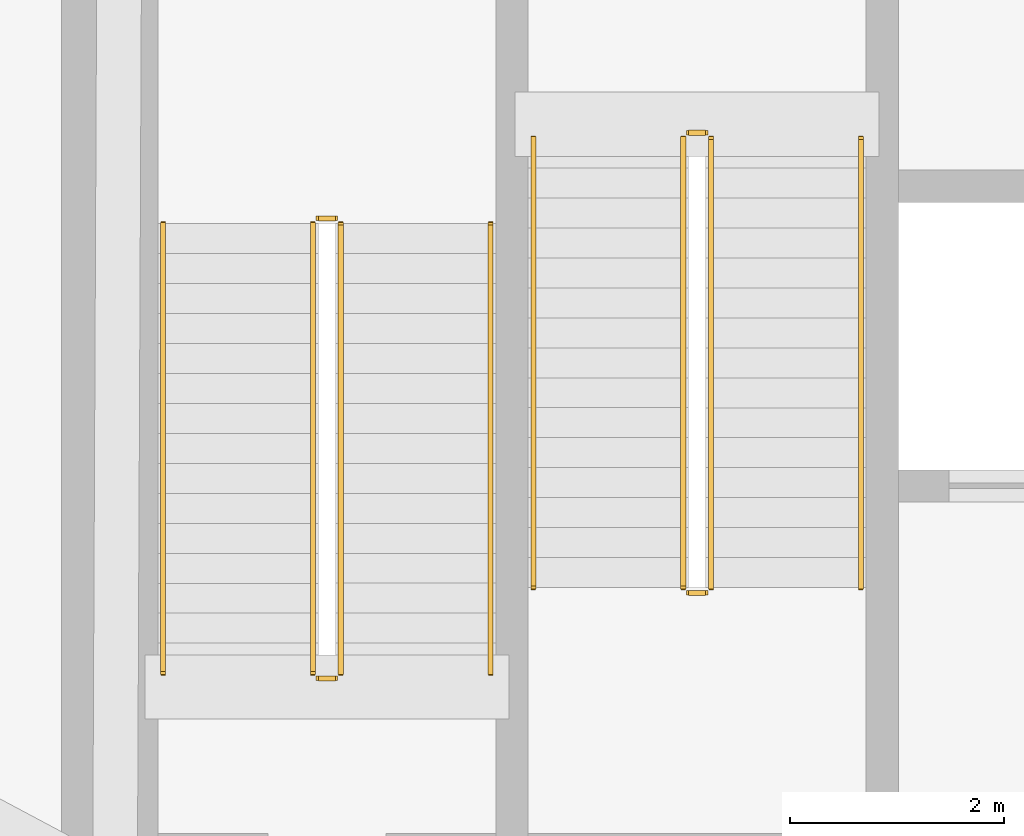
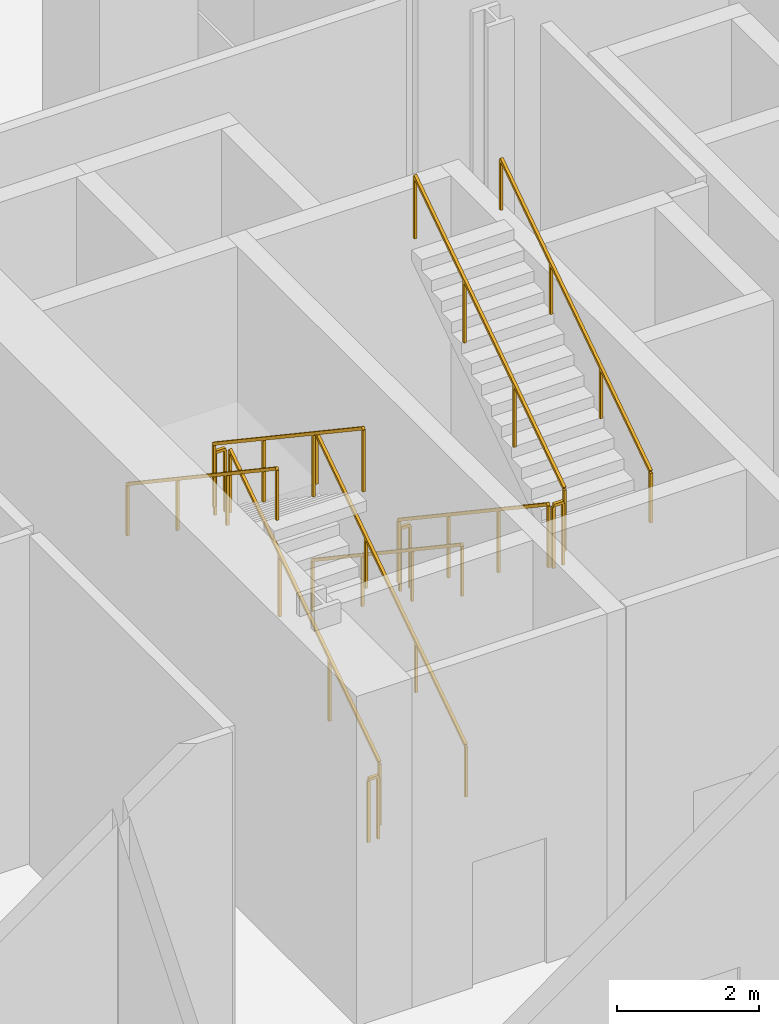
# One storey, part 18 of 20: 12 railings.
"""IFC4 building model written with IfcOpenShell, lengths in metres."""

from ifc_helpers import new_model, si_unit, direction, frame, origin, origin_2d, place, context, subcontext, project, spatial, rectangle, extrude, material, type_object, element, save


model = new_model("IFC4")

# Units and contexts
model_context = context("Model", 3, precision=1e-05, world=origin(), true_north=direction((0.0, 1.0)))
body_context = subcontext(model_context, "Body", "Model", "MODEL_VIEW")
ifc_project = project(units=[si_unit("LENGTHUNIT", "METRE"), si_unit("AREAUNIT", "SQUARE_METRE"), si_unit("VOLUMEUNIT", "CUBIC_METRE"), si_unit("PLANEANGLEUNIT", "RADIAN"), si_unit("MASSUNIT", "GRAM", prefix="KILO"), si_unit("THERMODYNAMICTEMPERATUREUNIT", "KELVIN"), si_unit("POWERUNIT", "WATT")], contexts=[model_context])

# Site, building, storey
site_placement = place(None, origin())
site = spatial("IfcSite", under=ifc_project, at=site_placement, CompositionType="ELEMENT")
building_placement = place(site_placement, origin())
building = spatial("IfcBuilding", under=site, at=building_placement, Name="Cundina Bronze Exchange", CompositionType="ELEMENT")
storey_placement = place(building_placement, frame((0.0, 0.0, 6.0)))
storey = spatial("IfcBuildingStorey", under=building, at=storey_placement, Name="L01", CompositionType="ELEMENT", Elevation=6.0)

# Railings
ifc_material = material(Name="Steel ASTM A36 Painted", Category="steel")
railing_type_1 = type_object("IfcRailingType", Name="RLG-HND-900", PredefinedType="HANDRAIL", material=ifc_material)
railing_1_placement = place(storey_placement, frame((-27.7900390625, 5.85009765625, 0.1875)))
element("IfcRailing", 1, at=railing_1_placement, inside=storey, type_object=railing_type_1, Name="L01 ST-W1 stair handrail 1", PredefinedType="HANDRAIL", context=body_context, shape_type="SweptSolid", body=[
    extrude(rectangle(XDim=0.048095703125, YDim=0.048095703125, at=origin_2d()), frame((0.0, 0.0, 0.8759765625), z_axis=(0.0, 0.830904186295, 0.556415522067), x_axis=(-1.0, 0.0, 0.0)), (0.0, 0.0, 1.0), 5.0546875),
    extrude(rectangle(XDim=0.0419921875, YDim=0.0419921875, at=origin_2d()), origin(), (0.0, 0.0, 1.0), 0.851806640625),
    extrude(rectangle(XDim=0.0419921875, YDim=0.0419921875, at=origin_2d()), frame((0.0, 1.39990234375, 0.9375)), (0.0, 0.0, 1.0), 0.851806640625),
    extrude(rectangle(XDim=0.0419921875, YDim=0.0419921875, at=origin_2d()), frame((0.0, 2.800048828125, 1.875)), (0.0, 0.0, 1.0), 0.851806640625),
    extrude(rectangle(XDim=0.0419921875, YDim=0.0419921875, at=origin_2d()), frame((0.0, 4.199951171875, 2.8125)), (0.0, 0.0, 1.0), 0.851806640625),
])
railing_2_placement = place(storey_placement, frame((-30.85009765625, 10.050048828125, 3.1875)))
element("IfcRailing", 2, at=railing_2_placement, inside=storey, type_object=railing_type_1, Name="L01 ST-W1 stair handrail 2", PredefinedType="HANDRAIL", context=body_context, shape_type="SweptSolid", body=[
    extrude(rectangle(XDim=0.048095703125, YDim=0.048095703125, at=origin_2d()), frame((0.0, 0.0, 0.8759765625), z_axis=(0.0, -0.830904186295, 0.556415522067), x_axis=(1.0, 0.0, 0.0)), (0.0, 0.0, 1.0), 5.0546875),
    extrude(rectangle(XDim=0.0419921875, YDim=0.0419921875, at=origin_2d()), origin(), (0.0, 0.0, 1.0), 0.851806640625),
    extrude(rectangle(XDim=0.0419921875, YDim=0.0419921875, at=origin_2d()), frame((0.0, -1.39990234375, 0.9375)), (0.0, 0.0, 1.0), 0.851806640625),
    extrude(rectangle(XDim=0.0419921875, YDim=0.0419921875, at=origin_2d()), frame((0.0, -2.800048828125, 1.875)), (0.0, 0.0, 1.0), 0.851806640625),
    extrude(rectangle(XDim=0.0419921875, YDim=0.0419921875, at=origin_2d()), frame((0.0, -4.199951171875, 2.8125)), (0.0, 0.0, 1.0), 0.851806640625),
])
railing_3_placement = place(storey_placement, frame((-27.389892578125, 10.85009765625, 0.1875)))
element("IfcRailing", 3, at=railing_3_placement, inside=storey, type_object=railing_type_1, Name="L01 ST-W2 stair handrail 1", PredefinedType="HANDRAIL", context=body_context, shape_type="SweptSolid", body=[
    extrude(rectangle(XDim=0.048095703125, YDim=0.048095703125, at=origin_2d()), frame((0.0, 0.0, 0.8759765625), z_axis=(0.0, -0.830919138977, 0.55639319234), x_axis=(1.0, 0.0, 0.0)), (0.0, 0.0, 1.0), 5.054931640625),
    extrude(rectangle(XDim=0.0419921875, YDim=0.0419921875, at=origin_2d()), origin(), (0.0, 0.0, 1.0), 0.851806640625),
    extrude(rectangle(XDim=0.0419921875, YDim=0.0419921875, at=origin_2d()), frame((0.0, -1.400146484375, 0.9375)), (0.0, 0.0, 1.0), 0.851806640625),
    extrude(rectangle(XDim=0.0419921875, YDim=0.0419921875, at=origin_2d()), frame((0.0, -2.800048828125, 1.875)), (0.0, 0.0, 1.0), 0.851806640625),
    extrude(rectangle(XDim=0.0419921875, YDim=0.0419921875, at=origin_2d()), frame((0.0, -4.2001953125, 2.8125)), (0.0, 0.0, 1.0), 0.851806640625),
])
railing_4_placement = place(storey_placement, frame((-24.330078125, 6.64990234375, 3.1875)))
element("IfcRailing", 4, at=railing_4_placement, inside=storey, type_object=railing_type_1, Name="L01 ST-W2 stair handrail 2", PredefinedType="HANDRAIL", context=body_context, shape_type="SweptSolid", body=[
    extrude(rectangle(XDim=0.048095703125, YDim=0.048095703125, at=origin_2d()), frame((0.0, 0.0, 0.8759765625), z_axis=(0.0, 0.830919138977, 0.55639319234), x_axis=(-1.0, 0.0, 0.0)), (0.0, 0.0, 1.0), 5.054931640625),
    extrude(rectangle(XDim=0.0419921875, YDim=0.0419921875, at=origin_2d()), origin(), (0.0, 0.0, 1.0), 0.851806640625),
    extrude(rectangle(XDim=0.0419921875, YDim=0.0419921875, at=origin_2d()), frame((0.0, 1.400146484375, 0.9375)), (0.0, 0.0, 1.0), 0.851806640625),
    extrude(rectangle(XDim=0.0419921875, YDim=0.0419921875, at=origin_2d()), frame((0.0, 2.800048828125, 1.875)), (0.0, 0.0, 1.0), 0.851806640625),
    extrude(rectangle(XDim=0.0419921875, YDim=0.0419921875, at=origin_2d()), frame((0.0, 4.2001953125, 2.8125)), (0.0, 0.0, 1.0), 0.851806640625),
])
railing_type_2 = type_object("IfcRailingType", Name="RLG-STG-1100", PredefinedType="GUARDRAIL", material=ifc_material)
railing_5_placement = place(storey_placement, frame((-29.18994140625, 5.85009765625, 0.1875)))
element("IfcRailing", 5, at=railing_5_placement, inside=storey, type_object=railing_type_2, Name="L01 ST-W1 stair guard 1", PredefinedType="GUARDRAIL", context=body_context, shape_type="SweptSolid", body=[
    extrude(rectangle(XDim=0.048095703125, YDim=0.048095703125, at=origin_2d()), frame((0.0, 0.0, 1.076171875), z_axis=(0.0, 0.830904186295, 0.556415522067), x_axis=(-1.0, 0.0, 0.0)), (0.0, 0.0, 1.0), 5.0546875),
    extrude(rectangle(XDim=0.0419921875, YDim=0.0419921875, at=origin_2d()), origin(), (0.0, 0.0, 1.0), 1.052001953125),
    extrude(rectangle(XDim=0.0419921875, YDim=0.0419921875, at=origin_2d()), frame((0.0, 1.39990234375, 0.9375)), (0.0, 0.0, 1.0), 1.052001953125),
    extrude(rectangle(XDim=0.0419921875, YDim=0.0419921875, at=origin_2d()), frame((0.0, 2.800048828125, 1.875)), (0.0, 0.0, 1.0), 1.052001953125),
    extrude(rectangle(XDim=0.0419921875, YDim=0.0419921875, at=origin_2d()), frame((0.0, 4.199951171875, 2.8125)), (0.0, 0.0, 1.0), 1.052001953125),
])
railing_6_placement = place(storey_placement, frame((-29.239990234375, 10.10009765625, 3.0)))
element("IfcRailing", 6, at=railing_6_placement, inside=storey, type_object=railing_type_2, Name="L01 ST-W1 stair guard 2", PredefinedType="GUARDRAIL", context=body_context, shape_type="SweptSolid", body=[
    extrude(rectangle(XDim=0.048095703125, YDim=0.048095703125, at=origin_2d()), frame((0.0, 0.0, 1.076171875), z_axis=(-1.0, 0.0, 0.0), x_axis=(0.0, -1.0, 0.0)), (0.0, 0.0, 1.0), 0.159912109375),
    extrude(rectangle(XDim=0.0419921875, YDim=0.0419921875, at=origin_2d()), origin(), (0.0, 0.0, 1.0), 1.052001953125),
    extrude(rectangle(XDim=0.0419921875, YDim=0.0419921875, at=origin_2d()), frame((-0.159912109375, 0.0, 0.0)), (0.0, 0.0, 1.0), 1.052001953125),
])
railing_7_placement = place(storey_placement, frame((-29.449951171875, 10.050048828125, 3.1875)))
element("IfcRailing", 7, at=railing_7_placement, inside=storey, type_object=railing_type_2, Name="L01 ST-W1 stair guard 3", PredefinedType="GUARDRAIL", context=body_context, shape_type="SweptSolid", body=[
    extrude(rectangle(XDim=0.048095703125, YDim=0.048095703125, at=origin_2d()), frame((0.0, 0.0, 1.076171875), z_axis=(0.0, -0.830904186295, 0.556415522067), x_axis=(1.0, 0.0, 0.0)), (0.0, 0.0, 1.0), 5.0546875),
    extrude(rectangle(XDim=0.0419921875, YDim=0.0419921875, at=origin_2d()), origin(), (0.0, 0.0, 1.0), 1.052001953125),
    extrude(rectangle(XDim=0.0419921875, YDim=0.0419921875, at=origin_2d()), frame((0.0, -1.39990234375, 0.9375)), (0.0, 0.0, 1.0), 1.052001953125),
    extrude(rectangle(XDim=0.0419921875, YDim=0.0419921875, at=origin_2d()), frame((0.0, -2.800048828125, 1.875)), (0.0, 0.0, 1.0), 1.052001953125),
    extrude(rectangle(XDim=0.0419921875, YDim=0.0419921875, at=origin_2d()), frame((0.0, -4.199951171875, 2.8125)), (0.0, 0.0, 1.0), 1.052001953125),
])
railing_8_placement = place(storey_placement, frame((-29.239990234375, 5.800048828125, 0.0)))
element("IfcRailing", 8, at=railing_8_placement, inside=storey, type_object=railing_type_2, Name="L01 ST-W1 stair guard 4", PredefinedType="GUARDRAIL", context=body_context, shape_type="SweptSolid", body=[
    extrude(rectangle(XDim=0.048095703125, YDim=0.048095703125, at=origin_2d()), frame((0.0, 0.0, 1.076171875), z_axis=(-1.0, 0.0, 0.0), x_axis=(0.0, -1.0, 0.0)), (0.0, 0.0, 1.0), 0.159912109375),
    extrude(rectangle(XDim=0.0419921875, YDim=0.0419921875, at=origin_2d()), origin(), (0.0, 0.0, 1.0), 1.052001953125),
    extrude(rectangle(XDim=0.0419921875, YDim=0.0419921875, at=origin_2d()), frame((-0.159912109375, 0.0, 0.0)), (0.0, 0.0, 1.0), 1.052001953125),
])
railing_9_placement = place(storey_placement, frame((-25.989990234375, 10.85009765625, 0.1875)))
element("IfcRailing", 9, at=railing_9_placement, inside=storey, type_object=railing_type_2, Name="L01 ST-W2 stair guard 1", PredefinedType="GUARDRAIL", context=body_context, shape_type="SweptSolid", body=[
    extrude(rectangle(XDim=0.048095703125, YDim=0.048095703125, at=origin_2d()), frame((0.0, 0.0, 1.076171875), z_axis=(0.0, -0.830919138977, 0.55639319234), x_axis=(1.0, 0.0, 0.0)), (0.0, 0.0, 1.0), 5.054931640625),
    extrude(rectangle(XDim=0.0419921875, YDim=0.0419921875, at=origin_2d()), origin(), (0.0, 0.0, 1.0), 1.052001953125),
    extrude(rectangle(XDim=0.0419921875, YDim=0.0419921875, at=origin_2d()), frame((0.0, -1.400146484375, 0.9375)), (0.0, 0.0, 1.0), 1.052001953125),
    extrude(rectangle(XDim=0.0419921875, YDim=0.0419921875, at=origin_2d()), frame((0.0, -2.800048828125, 1.875)), (0.0, 0.0, 1.0), 1.052001953125),
    extrude(rectangle(XDim=0.0419921875, YDim=0.0419921875, at=origin_2d()), frame((0.0, -4.2001953125, 2.8125)), (0.0, 0.0, 1.0), 1.052001953125),
])
railing_10_placement = place(storey_placement, frame((-25.93994140625, 6.60009765625, 3.0)))
element("IfcRailing", 10, at=railing_10_placement, inside=storey, type_object=railing_type_2, Name="L01 ST-W2 stair guard 2", PredefinedType="GUARDRAIL", context=body_context, shape_type="SweptSolid", body=[
    extrude(rectangle(XDim=0.048095703125, YDim=0.048095703125, at=origin_2d()), frame((0.0, 0.0, 1.076171875), z_axis=(1.0, 0.0, 0.0), x_axis=(0.0, 1.0, 0.0)), (0.0, 0.0, 1.0), 0.159912109375),
    extrude(rectangle(XDim=0.0419921875, YDim=0.0419921875, at=origin_2d()), origin(), (0.0, 0.0, 1.0), 1.052001953125),
    extrude(rectangle(XDim=0.0419921875, YDim=0.0419921875, at=origin_2d()), frame((0.159912109375, 0.0, 0.0)), (0.0, 0.0, 1.0), 1.052001953125),
])
railing_11_placement = place(storey_placement, frame((-25.72998046875, 6.64990234375, 3.1875)))
element("IfcRailing", 11, at=railing_11_placement, inside=storey, type_object=railing_type_2, Name="L01 ST-W2 stair guard 3", PredefinedType="GUARDRAIL", context=body_context, shape_type="SweptSolid", body=[
    extrude(rectangle(XDim=0.048095703125, YDim=0.048095703125, at=origin_2d()), frame((0.0, 0.0, 1.076171875), z_axis=(0.0, 0.830919138977, 0.55639319234), x_axis=(-1.0, 0.0, 0.0)), (0.0, 0.0, 1.0), 5.054931640625),
    extrude(rectangle(XDim=0.0419921875, YDim=0.0419921875, at=origin_2d()), origin(), (0.0, 0.0, 1.0), 1.052001953125),
    extrude(rectangle(XDim=0.0419921875, YDim=0.0419921875, at=origin_2d()), frame((0.0, 1.400146484375, 0.9375)), (0.0, 0.0, 1.0), 1.052001953125),
    extrude(rectangle(XDim=0.0419921875, YDim=0.0419921875, at=origin_2d()), frame((0.0, 2.800048828125, 1.875)), (0.0, 0.0, 1.0), 1.052001953125),
    extrude(rectangle(XDim=0.0419921875, YDim=0.0419921875, at=origin_2d()), frame((0.0, 4.2001953125, 2.8125)), (0.0, 0.0, 1.0), 1.052001953125),
])
railing_12_placement = place(storey_placement, frame((-25.93994140625, 10.89990234375, 0.0)))
element("IfcRailing", 12, at=railing_12_placement, inside=storey, type_object=railing_type_2, Name="L01 ST-W2 stair guard 4", PredefinedType="GUARDRAIL", context=body_context, shape_type="SweptSolid", body=[
    extrude(rectangle(XDim=0.048095703125, YDim=0.048095703125, at=origin_2d()), frame((0.0, 0.0, 1.076171875), z_axis=(1.0, 0.0, 0.0), x_axis=(0.0, 1.0, 0.0)), (0.0, 0.0, 1.0), 0.159912109375),
    extrude(rectangle(XDim=0.0419921875, YDim=0.0419921875, at=origin_2d()), origin(), (0.0, 0.0, 1.0), 1.052001953125),
    extrude(rectangle(XDim=0.0419921875, YDim=0.0419921875, at=origin_2d()), frame((0.159912109375, 0.0, 0.0)), (0.0, 0.0, 1.0), 1.052001953125),
])

save(model, "model.ifc")
